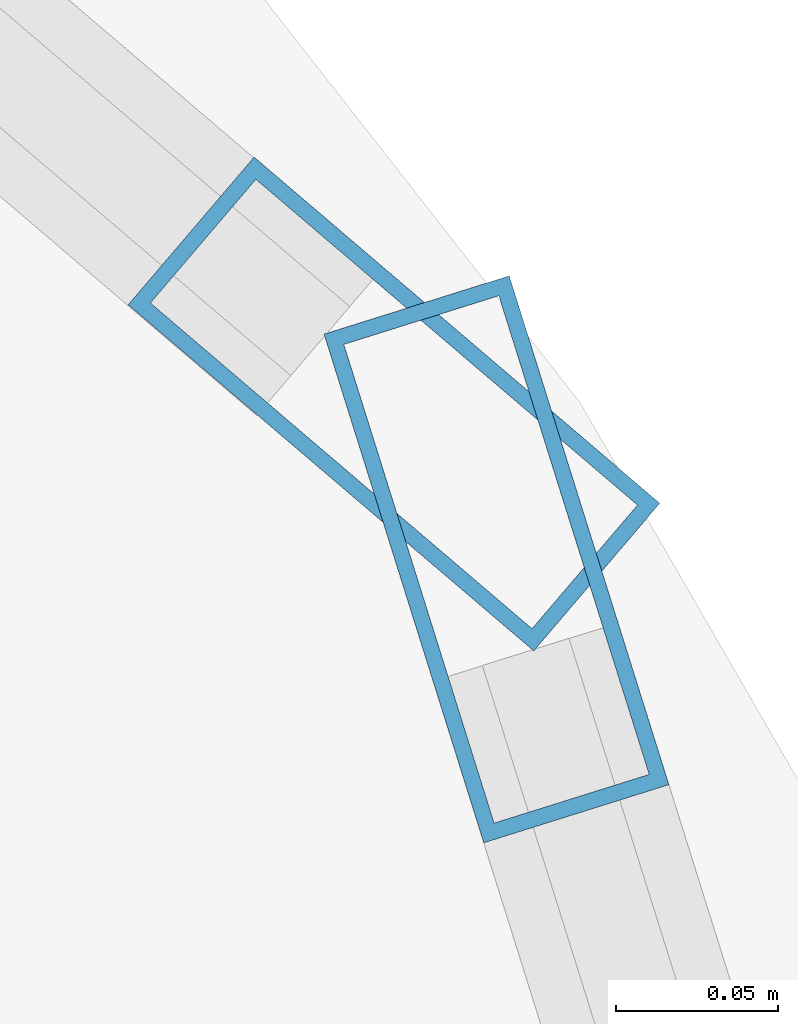
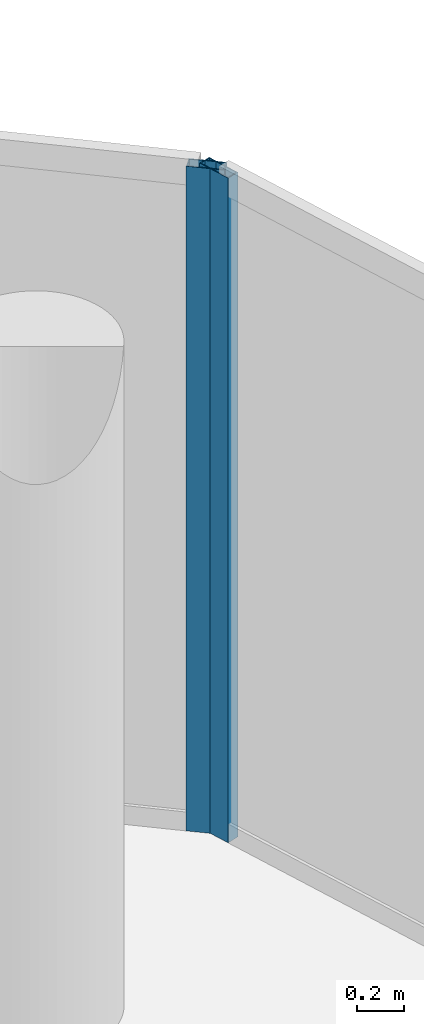
# One storey, part 14 of 24: 2 members, 2 elements without a shape of their own.
"""IFC4 building model written with IfcOpenShell, lengths in metres."""

from ifc_helpers import new_model, si_unit, direction, frame, origin, origin_2d, place, context, subcontext, project, spatial, hollow_rectangle, extrude, material, layer, layer_set, material_profile, profile_set, type_object, element, aggregate, save


model = new_model("IFC4")

# Units and contexts
model_context = context("Model", 3, precision=1e-05, world=origin(), true_north=direction((0.0, 1.0)))
body_context = subcontext(model_context, "Body", "Model", "MODEL_VIEW")
ifc_project = project(units=[si_unit("LENGTHUNIT", "METRE"), si_unit("AREAUNIT", "SQUARE_METRE"), si_unit("VOLUMEUNIT", "CUBIC_METRE"), si_unit("PLANEANGLEUNIT", "RADIAN"), si_unit("MASSUNIT", "GRAM", prefix="KILO")], contexts=[model_context])

# Site, building, storey
site_placement = place(None, origin())
site = spatial("IfcSite", under=ifc_project, at=site_placement, CompositionType="ELEMENT")
building_placement = place(site_placement, origin())
building = spatial("IfcBuilding", under=site, at=building_placement, Name="Nuhasar Tower", CompositionType="ELEMENT")
storey_placement = place(building_placement, frame((0.0, 0.0, 297.39990234375)))
storey = spatial("IfcBuildingStorey", under=building, at=storey_placement, Name="L74", CompositionType="ELEMENT", Elevation=297.39990234375)

# Curtain wall, member
ifc_material = material(Name="Aluminium 6063-T6", Category="aluminium")
ifc_layer = layer(ifc_material, 0.18994140625)
ifc_layer_set = layer_set([ifc_layer], Name="Aluminium 6063-T6")
curtain_wall_type = type_object("IfcCurtainWallType", Name="CW-Z4-PEN", PredefinedType="NOTDEFINED", material=ifc_layer_set)
curtain_wall_1_placement = place(storey_placement, origin())
curtain_wall_1 = element("IfcCurtainWall", 1, at=curtain_wall_1_placement, inside=storey, type_object=curtain_wall_type, Name="L74 Unitised Curtain Wall 01", PredefinedType="NOTDEFINED")
ifc_material_profile = material_profile(ifc_material, hollow_rectangle(XDim=0.06005859375, YDim=0.1650390625, WallThickness=0.0048828125, at=origin_2d()), Name="CWM-5")
ifc_profile_set = profile_set([ifc_material_profile], Name="Aluminium 6063-T6")
member_type = type_object("IfcMemberType", Name="CW-MUL-S5", PredefinedType="MULLION", material=ifc_profile_set)
member_1_placement = place(storey_placement, frame((56.72802734375, 35.50146484375, 0.0), z_axis=(0.0, 0.0, 1.0), x_axis=(-0.954078526601, -0.299556614146, 0.0)))
member_1 = element("IfcMember", 2, at=member_1_placement, type_object=member_type, Name="CW-Z4 mullion 2", PredefinedType="MULLION", context=body_context, shape_type="SweptSolid", body=[
    extrude(hollow_rectangle(XDim=0.06005859375, YDim=0.1650390625, WallThickness=0.0048828125, at=origin_2d()), origin(), (0.0, 0.0, 1.0), 3.4501953125),
])
aggregate(curtain_wall_1, [member_1])

curtain_wall_2_placement = place(storey_placement, origin())
curtain_wall_2 = element("IfcCurtainWall", 3, at=curtain_wall_2_placement, inside=storey, type_object=curtain_wall_type, Name="L74 Unitised Curtain Wall 02", PredefinedType="NOTDEFINED")
member_2_placement = place(storey_placement, frame((56.6962890625, 35.549560546875, 0.0), z_axis=(0.0, 0.0, 1.0), x_axis=(-0.649141996205, -0.760667252327, 0.0)))
member_2 = element("IfcMember", 4, at=member_2_placement, type_object=member_type, Name="CW-Z4 mullion 1", PredefinedType="MULLION", context=body_context, shape_type="SweptSolid", body=[
    extrude(hollow_rectangle(XDim=0.06005859375, YDim=0.1650390625, WallThickness=0.0048828125, at=origin_2d()), origin(), (0.0, 0.0, 1.0), 3.4501953125),
])
aggregate(curtain_wall_2, [member_2])

save(model, "model.ifc")
